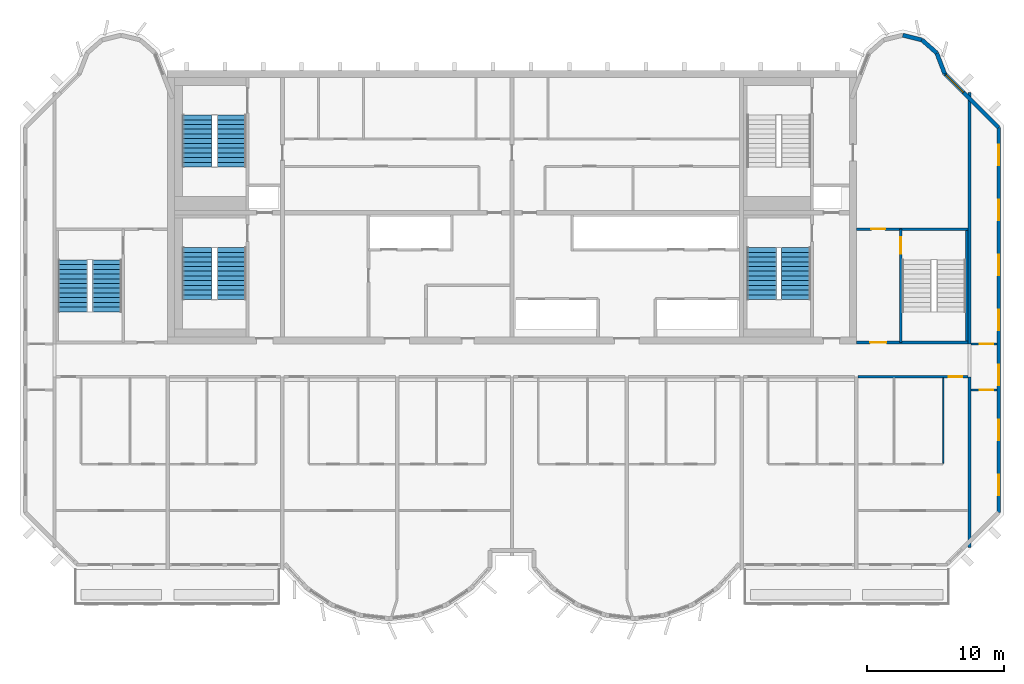
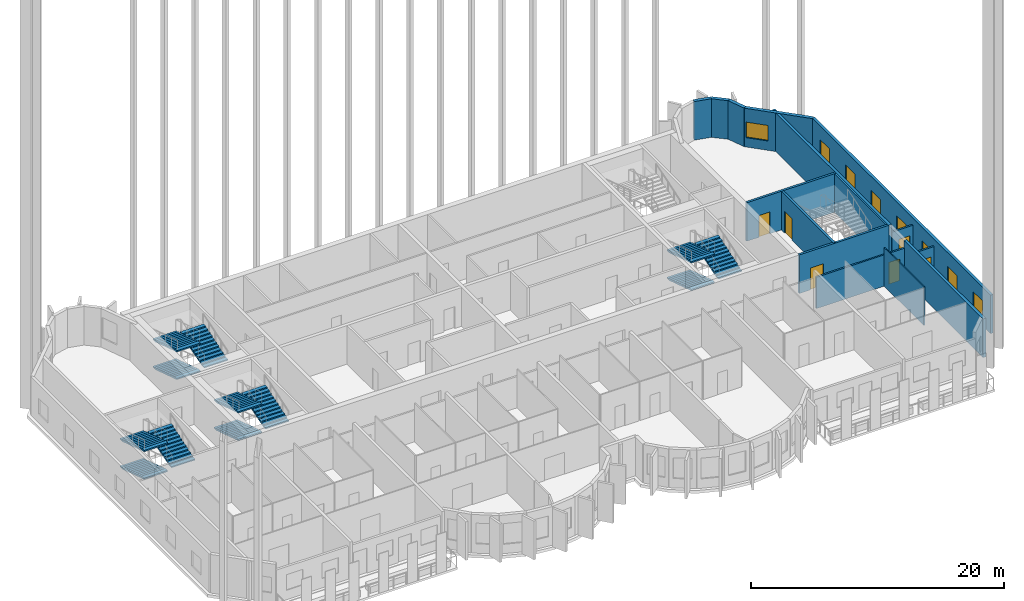
# One storey, part 8 of 13: 15 walls, 12 stair flights, 8 windows, 6 doors, 14 openings, 4 elements without a shape of their own.
"""IFC4 building model written with IfcOpenShell, lengths in metres."""

from ifc_helpers import new_model, si_unit, direction, frame, frame_2d, origin, place, context, subcontext, project, spatial, polyline, rectangle, outline, extrude, source, transform, mapped, material, layer, layer_set, type_object, element, fill, aggregate, save


model = new_model("IFC4")

# Units and contexts
model_context = context("Model", 3, precision=1e-05, world=origin(), true_north=direction((0.0, 1.0)))
body_context = subcontext(model_context, "Body", "Model", "MODEL_VIEW")
ifc_project = project(units=[si_unit("LENGTHUNIT", "METRE"), si_unit("AREAUNIT", "SQUARE_METRE"), si_unit("VOLUMEUNIT", "CUBIC_METRE"), si_unit("PLANEANGLEUNIT", "RADIAN"), si_unit("MASSUNIT", "GRAM", prefix="KILO")], contexts=[model_context])

# Site, building, storey
site_placement = place(None, origin())
site = spatial("IfcSite", under=ifc_project, at=site_placement, CompositionType="ELEMENT")
building_placement = place(site_placement, origin())
building = spatial("IfcBuilding", under=site, at=building_placement, Name="Vanashikhar Sky Hotel", CompositionType="ELEMENT")
storey_placement = place(building_placement, frame((0.0, 0.0, 277.699951171875)))
storey = spatial("IfcBuildingStorey", under=building, at=storey_placement, Name="L66", CompositionType="ELEMENT", Elevation=277.699951171875)

# Walls
ifc_material_1 = material(Name="Concrete M50", Category="concrete")
ifc_layer_1 = layer(ifc_material_1, 0.25)
ifc_layer_set_1 = layer_set([ifc_layer_1], Name="RC shear wall 250 Concrete M50")
wall_type_1 = type_object("IfcWallType", Name="RC shear wall 250 Concrete M50", PredefinedType="SHEAR", material=ifc_layer_set_1)
shared_shape_1 = source(origin(), body_context, "Body", "SweptSolid", [
    extrude(rectangle(XDim=12.5, YDim=0.25, at=frame_2d((6.25, 0.0))), origin(), (0.0, 0.0, 1.0), 3.719970703125),
])
wall_1_placement = place(storey_placement, frame((83.875, 7.10009765625, 0.0), z_axis=(0.0, 0.0, 1.0), x_axis=(0.0, 1.0, 0.0)))
element("IfcWall", 1, at=wall_1_placement, inside=storey, type_object=wall_type_1, Name="CW-L66-XW11-1", PredefinedType="SHEAR", context=body_context, shape_type="MappedRepresentation", body=[
    mapped(shared_shape_1, transform((0.0, 0.0, 0.0), scale=1.0)),
])
shared_shape_2 = source(origin(), body_context, "Body", "SweptSolid", [
    extrude(rectangle(XDim=18.39990234375, YDim=0.25, at=frame_2d((9.199951171875, 0.0))), origin(), (0.0, 0.0, 1.0), 3.719970703125),
])
wall_2_placement = place(storey_placement, frame((83.875, 22.0, 0.0), z_axis=(0.0, 0.0, 1.0), x_axis=(0.0, 1.0, 0.0)))
element("IfcWall", 2, at=wall_2_placement, inside=storey, type_object=wall_type_1, Name="CW-L66-XW11-2", PredefinedType="SHEAR", context=body_context, shape_type="MappedRepresentation", body=[
    mapped(shared_shape_2, transform((0.0, 0.0, 0.0), scale=1.0)),
])

# Wall, opening, window
ifc_layer_2 = layer(ifc_material_1, 0.300048828125)
ifc_layer_set_2 = layer_set([ifc_layer_2], Name="Lobe wall 300")
wall_type_2 = type_object("IfcWallType", Name="Lobe wall 300", PredefinedType="SOLIDWALL", material=ifc_layer_set_2)
shared_shape_3 = source(origin(), body_context, "Body", "SweptSolid", [
    extrude(rectangle(XDim=5.576416015625, YDim=0.300048828125, at=frame_2d((2.7880859375, 0.0))), origin(), (0.0, 0.0, 1.0), 3.719970703125),
])
wall_3_placement = place(storey_placement, frame((86.0, 37.834228515625, 0.0), z_axis=(0.0, 0.0, 1.0), x_axis=(-0.707106781187, 0.707106781187, 0.0)))
wall_3 = element("IfcWall", 3, at=wall_3_placement, inside=storey, type_object=wall_type_2, Name="Corner wall", PredefinedType="SOLIDWALL", context=body_context, shape_type="MappedRepresentation", body=[
    mapped(shared_shape_3, transform((0.0, 0.0, 0.0), scale=1.0)),
])
shared_shape_4 = source(origin(), body_context, "Body", "SweptSolid", [
    extrude(rectangle(XDim=1.800048828125, YDim=1.5, at=frame_2d((0.89990234375, 0.75))), frame((0.0, 0.16015625, 0.0), z_axis=(0.0, -1.0, 0.0), x_axis=(1.0, 0.0, 0.0)), (0.0, 0.0, 1.0), 0.320068359375),
])
opening_1_placement = place(wall_3_placement, frame((3.640869140625, 0.0, 0.89990234375)))
opening_1 = element("IfcOpeningElement", 4, at=opening_1_placement, cuts=wall_3, Name="Opening WN-4", PredefinedType="OPENING", context=body_context, shape_type="MappedRepresentation", body=[
    mapped(shared_shape_4, transform((0.0, 0.0, 0.0), scale=1.0)),
])
ifc_material_2 = material(Name="Glass", Category="glass")
window_type_1 = type_object("IfcWindowType", Name="Corner window 1800 x 1500", PartitioningType="SINGLE_PANEL", PredefinedType="WINDOW", material=ifc_material_2)
shared_shape_5 = source(origin(), body_context, "Body", "SweptSolid", [
    extrude(rectangle(XDim=1.800048828125, YDim=1.5, at=frame_2d((0.89990234375, 0.75))), frame((0.0, 0.030029296875, 0.0), z_axis=(0.0, -1.0, 0.0), x_axis=(1.0, 0.0, 0.0)), (0.0, 0.0, 1.0), 0.06005859375),
])
window_1_placement = place(opening_1_placement, origin())
window_1 = element("IfcWindow", 5, at=window_1_placement, inside=storey, type_object=window_type_1, Name="Window WN-4", OverallHeight=1.5, OverallWidth=1.800048828125, PartitioningType="SINGLE_PANEL", PredefinedType="WINDOW", context=body_context, shape_type="MappedRepresentation", body=[
    mapped(shared_shape_5, transform((0.0, 0.0, 0.0), scale=1.0)),
])
fill(opening_1, window_1)

# Walls
shared_shape_6 = source(origin(), body_context, "Body", "SweptSolid", [
    extrude(rectangle(XDim=1.6220703125, YDim=0.300048828125, at=frame_2d((0.81103515625, 0.0))), origin(), (0.0, 0.0, 1.0), 3.719970703125),
])
wall_4_placement = place(storey_placement, frame((82.056884765625, 41.77734375, 0.0), z_axis=(0.0, 0.0, 1.0), x_axis=(-0.357778527068, 0.933806471154, 0.0)))
element("IfcWall", 6, at=wall_4_placement, inside=storey, type_object=wall_type_2, Name="Lobe wall", PredefinedType="SOLIDWALL", context=body_context, shape_type="MappedRepresentation", body=[
    mapped(shared_shape_6, transform((0.0, 0.0, 0.0), scale=1.0)),
])
shared_shape_7 = source(origin(), body_context, "Body", "SweptSolid", [
    extrude(rectangle(XDim=1.43994140625, YDim=0.300048828125, at=frame_2d((0.719970703125, 0.0))), origin(), (0.0, 0.0, 1.0), 3.719970703125),
])
wall_5_placement = place(storey_placement, frame((81.4765625, 43.2919921875, 0.0), z_axis=(0.0, 0.0, 1.0), x_axis=(-0.74957555648, 0.661918790432, 0.0)))
element("IfcWall", 7, at=wall_5_placement, inside=storey, type_object=wall_type_2, Name="Lobe wall", PredefinedType="SOLIDWALL", context=body_context, shape_type="MappedRepresentation", body=[
    mapped(shared_shape_7, transform((0.0, 0.0, 0.0), scale=1.0)),
])
shared_shape_8 = source(origin(), body_context, "Body", "SweptSolid", [
    extrude(rectangle(XDim=1.438720703125, YDim=0.300048828125, at=frame_2d((0.71923828125, 0.0))), origin(), (0.0, 0.0, 1.0), 3.719970703125),
])
wall_6_placement = place(storey_placement, frame((80.397216796875, 44.2451171875, 0.0), z_axis=(0.0, 0.0, 1.0), x_axis=(-0.971161932466, 0.238420848351, 0.0)))
element("IfcWall", 8, at=wall_6_placement, inside=storey, type_object=wall_type_2, Name="Lobe wall", PredefinedType="SOLIDWALL", context=body_context, shape_type="MappedRepresentation", body=[
    mapped(shared_shape_8, transform((0.0, 0.0, 0.0), scale=1.0)),
])

# Wall, openings, windows
ifc_layer_3 = layer(ifc_material_1, 0.25)
ifc_layer_set_3 = layer_set([ifc_layer_3], Name="Rear and end board-marked wall 250")
wall_type_3 = type_object("IfcWallType", Name="Rear and end board-marked wall 250", PredefinedType="SOLIDWALL", material=ifc_layer_set_3)
shared_shape_9 = source(origin(), body_context, "Body", "SweptSolid", [
    extrude(rectangle(XDim=28.189453125, YDim=0.25, at=frame_2d((14.0947265625, 0.0))), origin(), (0.0, 0.0, 1.0), 3.719970703125),
])
wall_7_placement = place(storey_placement, frame((86.02490234375, 9.6552734375, 0.0), z_axis=(0.0, 0.0, 1.0), x_axis=(0.0, 1.0, 0.0)))
wall_7 = element("IfcWall", 9, at=wall_7_placement, inside=storey, type_object=wall_type_3, Name="End board-marked wall", PredefinedType="SOLIDWALL", context=body_context, shape_type="MappedRepresentation", body=[
    mapped(shared_shape_9, transform((0.0, 0.0, 0.0), scale=1.0)),
])
shared_shape_10 = source(origin(), body_context, "Body", "SweptSolid", [
    extrude(rectangle(XDim=1.5, YDim=1.5, at=frame_2d((0.75, 0.75))), frame((0.0, 0.135009765625, 0.0), z_axis=(0.0, -1.0, 0.0), x_axis=(1.0, 0.0, 0.0)), (0.0, 0.0, 1.0), 0.27001953125),
])
opening_2_placement = place(wall_7_placement, frame((1.263427734375, 0.0, 0.89990234375)))
opening_2 = element("IfcOpeningElement", 10, at=opening_2_placement, cuts=wall_7, Name="Opening WN-1", PredefinedType="OPENING", context=body_context, shape_type="MappedRepresentation", body=[
    mapped(shared_shape_10, transform((0.0, 0.0, 0.0), scale=1.0)),
])
opening_3_placement = place(wall_7_placement, frame((5.29052734375, 0.0, 0.89990234375)))
opening_3 = element("IfcOpeningElement", 11, at=opening_3_placement, cuts=wall_7, Name="Opening WN-1", PredefinedType="OPENING", context=body_context, shape_type="MappedRepresentation", body=[
    mapped(shared_shape_10, transform((0.0, 0.0, 0.0), scale=1.0)),
])
opening_4_placement = place(wall_7_placement, frame((9.317626953125, 0.0, 0.89990234375)))
opening_4 = element("IfcOpeningElement", 12, at=opening_4_placement, cuts=wall_7, Name="Opening WN-1", PredefinedType="OPENING", context=body_context, shape_type="MappedRepresentation", body=[
    mapped(shared_shape_10, transform((0.0, 0.0, 0.0), scale=1.0)),
])
opening_5_placement = place(wall_7_placement, frame((13.3447265625, 0.0, 0.89990234375)))
opening_5 = element("IfcOpeningElement", 13, at=opening_5_placement, cuts=wall_7, Name="Opening WN-1", PredefinedType="OPENING", context=body_context, shape_type="MappedRepresentation", body=[
    mapped(shared_shape_10, transform((0.0, 0.0, 0.0), scale=1.0)),
])
opening_6_placement = place(wall_7_placement, frame((17.371826171875, 0.0, 0.89990234375)))
opening_6 = element("IfcOpeningElement", 14, at=opening_6_placement, cuts=wall_7, Name="Opening WN-1", PredefinedType="OPENING", context=body_context, shape_type="MappedRepresentation", body=[
    mapped(shared_shape_10, transform((0.0, 0.0, 0.0), scale=1.0)),
])
opening_7_placement = place(wall_7_placement, frame((21.398681640625, 0.0, 0.89990234375)))
opening_7 = element("IfcOpeningElement", 15, at=opening_7_placement, cuts=wall_7, Name="Opening WN-1", PredefinedType="OPENING", context=body_context, shape_type="MappedRepresentation", body=[
    mapped(shared_shape_10, transform((0.0, 0.0, 0.0), scale=1.0)),
])
opening_8_placement = place(wall_7_placement, frame((25.42578125, 0.0, 0.89990234375)))
opening_8 = element("IfcOpeningElement", 16, at=opening_8_placement, cuts=wall_7, Name="Opening WN-1", PredefinedType="OPENING", context=body_context, shape_type="MappedRepresentation", body=[
    mapped(shared_shape_10, transform((0.0, 0.0, 0.0), scale=1.0)),
])
window_type_2 = type_object("IfcWindowType", Name="Window 1500 x 1500", PartitioningType="SINGLE_PANEL", PredefinedType="WINDOW", material=ifc_material_2)
shared_shape_11 = source(origin(), body_context, "Body", "SweptSolid", [
    extrude(rectangle(XDim=1.5, YDim=1.5, at=frame_2d((0.75, 0.75))), frame((0.0, 0.030029296875, 0.0), z_axis=(0.0, -1.0, 0.0), x_axis=(1.0, 0.0, 0.0)), (0.0, 0.0, 1.0), 0.06005859375),
])
window_2_placement = place(opening_2_placement, origin())
window_2 = element("IfcWindow", 17, at=window_2_placement, inside=storey, type_object=window_type_2, Name="Window WN-1", OverallHeight=1.5, OverallWidth=1.5, PartitioningType="SINGLE_PANEL", PredefinedType="WINDOW", context=body_context, shape_type="MappedRepresentation", body=[
    mapped(shared_shape_11, transform((0.0, 0.0, 0.0), scale=1.0)),
])
fill(opening_2, window_2)
window_3_placement = place(opening_3_placement, origin())
window_3 = element("IfcWindow", 18, at=window_3_placement, inside=storey, type_object=window_type_2, Name="Window WN-1", OverallHeight=1.5, OverallWidth=1.5, PartitioningType="SINGLE_PANEL", PredefinedType="WINDOW", context=body_context, shape_type="MappedRepresentation", body=[
    mapped(shared_shape_11, transform((0.0, 0.0, 0.0), scale=1.0)),
])
fill(opening_3, window_3)
window_4_placement = place(opening_4_placement, origin())
window_4 = element("IfcWindow", 19, at=window_4_placement, inside=storey, type_object=window_type_2, Name="Window WN-1", OverallHeight=1.5, OverallWidth=1.5, PartitioningType="SINGLE_PANEL", PredefinedType="WINDOW", context=body_context, shape_type="MappedRepresentation", body=[
    mapped(shared_shape_11, transform((0.0, 0.0, 0.0), scale=1.0)),
])
fill(opening_4, window_4)
window_5_placement = place(opening_5_placement, origin())
window_5 = element("IfcWindow", 20, at=window_5_placement, inside=storey, type_object=window_type_2, Name="Window WN-1", OverallHeight=1.5, OverallWidth=1.5, PartitioningType="SINGLE_PANEL", PredefinedType="WINDOW", context=body_context, shape_type="MappedRepresentation", body=[
    mapped(shared_shape_11, transform((0.0, 0.0, 0.0), scale=1.0)),
])
fill(opening_5, window_5)
window_6_placement = place(opening_6_placement, origin())
window_6 = element("IfcWindow", 21, at=window_6_placement, inside=storey, type_object=window_type_2, Name="Window WN-1", OverallHeight=1.5, OverallWidth=1.5, PartitioningType="SINGLE_PANEL", PredefinedType="WINDOW", context=body_context, shape_type="MappedRepresentation", body=[
    mapped(shared_shape_11, transform((0.0, 0.0, 0.0), scale=1.0)),
])
fill(opening_6, window_6)
window_7_placement = place(opening_7_placement, origin())
window_7 = element("IfcWindow", 22, at=window_7_placement, inside=storey, type_object=window_type_2, Name="Window WN-1", OverallHeight=1.5, OverallWidth=1.5, PartitioningType="SINGLE_PANEL", PredefinedType="WINDOW", context=body_context, shape_type="MappedRepresentation", body=[
    mapped(shared_shape_11, transform((0.0, 0.0, 0.0), scale=1.0)),
])
fill(opening_7, window_7)
window_8_placement = place(opening_8_placement, origin())
window_8 = element("IfcWindow", 23, at=window_8_placement, inside=storey, type_object=window_type_2, Name="Window WN-1", OverallHeight=1.5, OverallWidth=1.5, PartitioningType="SINGLE_PANEL", PredefinedType="WINDOW", context=body_context, shape_type="MappedRepresentation", body=[
    mapped(shared_shape_11, transform((0.0, 0.0, 0.0), scale=1.0)),
])
fill(opening_8, window_8)

# Wall, opening, door
ifc_layer_4 = layer(ifc_material_1, 0.199951171875)
ifc_layer_set_4 = layer_set([ifc_layer_4], Name="Stair wall 200")
wall_type_4 = type_object("IfcWallType", Name="Stair wall 200", PredefinedType="SOLIDWALL", material=ifc_layer_set_4)
shared_shape_12 = source(origin(), body_context, "Body", "SweptSolid", [
    extrude(rectangle(XDim=8.2998046875, YDim=0.199951171875, at=frame_2d((4.14990234375, 0.0))), origin(), (0.0, 0.0, 1.0), 3.719970703125),
])
wall_8_placement = place(storey_placement, frame((78.85009765625, 22.10009765625, 0.0), z_axis=(0.0, 0.0, 1.0), x_axis=(0.0, 1.0, 0.0)))
wall_8 = element("IfcWall", 24, at=wall_8_placement, inside=storey, type_object=wall_type_4, Name="Stair wall 200", PredefinedType="SOLIDWALL", context=body_context, shape_type="MappedRepresentation", body=[
    mapped(shared_shape_12, transform((0.0, 0.0, 0.0), scale=1.0)),
])
shared_shape_13 = source(origin(), body_context, "Body", "SweptSolid", [
    extrude(rectangle(XDim=1.199951171875, YDim=2.10009765625, at=frame_2d((0.60009765625, 1.050048828125))), frame((0.0, 0.10986328125, 0.0), z_axis=(0.0, -1.0, 0.0), x_axis=(1.0, 0.0, 0.0)), (0.0, 0.0, 1.0), 0.219970703125),
])
opening_9_placement = place(wall_8_placement, frame((6.5, 0.0, 0.0)))
opening_9 = element("IfcOpeningElement", 25, at=opening_9_placement, cuts=wall_8, Name="Opening DC-1", PredefinedType="OPENING", context=body_context, shape_type="MappedRepresentation", body=[
    mapped(shared_shape_13, transform((0.0, 0.0, 0.0), scale=1.0)),
])
ifc_material_3 = material(Name="Steel", Category="steel")
door_type_1 = type_object("IfcDoorType", Name="Stair door 1200 FD120", OperationType="NOTDEFINED", PredefinedType="DOOR", material=ifc_material_3)
shared_shape_14 = source(origin(), body_context, "Body", "SweptSolid", [
    extrude(rectangle(XDim=1.199951171875, YDim=2.10009765625, at=frame_2d((0.60009765625, 1.050048828125))), frame((0.0, 0.02490234375, 0.0), z_axis=(0.0, -1.0, 0.0), x_axis=(1.0, 0.0, 0.0)), (0.0, 0.0, 1.0), 0.050048828125),
])
door_1_placement = place(opening_9_placement, origin())
door_1 = element("IfcDoor", 26, at=door_1_placement, inside=storey, type_object=door_type_1, Name="Stair door 1200 FD120", OperationType="SINGLE_SWING_RIGHT", OverallHeight=2.10009765625, OverallWidth=1.199951171875, PredefinedType="DOOR", context=body_context, shape_type="MappedRepresentation", body=[
    mapped(shared_shape_14, transform((0.0, 0.0, 0.0), scale=1.0)),
])
fill(opening_9, door_1)

shared_shape_15 = source(origin(), body_context, "Body", "SweptSolid", [
    extrude(rectangle(XDim=8.14990234375, YDim=0.199951171875, at=frame_2d((4.074951171875, 0.0))), origin(), (0.0, 0.0, 1.0), 3.719970703125),
])
wall_9_placement = place(storey_placement, frame((83.75, 22.10009765625, 0.0), z_axis=(0.0, 0.0, 1.0), x_axis=(-1.0, 0.0, 0.0)))
wall_9 = element("IfcWall", 27, at=wall_9_placement, inside=storey, type_object=wall_type_4, Name="Stair wall 200", PredefinedType="SOLIDWALL", context=body_context, shape_type="MappedRepresentation", body=[
    mapped(shared_shape_15, transform((0.0, 0.0, 0.0), scale=1.0)),
])
opening_10_placement = place(wall_9_placement, frame((5.949951171875, 0.0, 0.0)))
opening_10 = element("IfcOpeningElement", 28, at=opening_10_placement, cuts=wall_9, Name="Opening DC-2", PredefinedType="OPENING", context=body_context, shape_type="MappedRepresentation", body=[
    mapped(shared_shape_13, transform((0.0, 0.0, 0.0), scale=1.0)),
])
door_type_2 = type_object("IfcDoorType", Name="Firefighting lobby door 1200 FD120", OperationType="NOTDEFINED", PredefinedType="DOOR", material=ifc_material_3)
door_2_placement = place(opening_10_placement, origin())
door_2 = element("IfcDoor", 29, at=door_2_placement, inside=storey, type_object=door_type_2, Name="Firefighting lobby door 1200 FD120", OperationType="SINGLE_SWING_RIGHT", OverallHeight=2.10009765625, OverallWidth=1.199951171875, PredefinedType="DOOR", context=body_context, shape_type="MappedRepresentation", body=[
    mapped(shared_shape_14, transform((0.0, 0.0, 0.0), scale=1.0)),
])
fill(opening_10, door_2)

wall_10_placement = place(storey_placement, frame((83.75, 30.39990234375, 0.0), z_axis=(0.0, 0.0, 1.0), x_axis=(-1.0, 0.0, 0.0)))
wall_10 = element("IfcWall", 30, at=wall_10_placement, inside=storey, type_object=wall_type_4, Name="Stair wall 200", PredefinedType="SOLIDWALL", context=body_context, shape_type="MappedRepresentation", body=[
    mapped(shared_shape_15, transform((0.0, 0.0, 0.0), scale=1.0)),
])
shared_shape_16 = source(origin(), body_context, "Body", "SweptSolid", [
    extrude(rectangle(XDim=1.0, YDim=2.10009765625, at=frame_2d((0.5, 1.050048828125))), frame((0.0, 0.10986328125, 0.0), z_axis=(0.0, -1.0, 0.0), x_axis=(1.0, 0.0, 0.0)), (0.0, 0.0, 1.0), 0.219970703125),
])
opening_11_placement = place(wall_10_placement, frame((6.050048828125, 0.0, 0.0)))
opening_11 = element("IfcOpeningElement", 31, at=opening_11_placement, cuts=wall_10, Name="Opening DC-6", PredefinedType="OPENING", context=body_context, shape_type="MappedRepresentation", body=[
    mapped(shared_shape_16, transform((0.0, 0.0, 0.0), scale=1.0)),
])
door_type_3 = type_object("IfcDoorType", Name="Pocket door 1000 FD60", OperationType="NOTDEFINED", PredefinedType="DOOR", material=ifc_material_3)
shared_shape_17 = source(origin(), body_context, "Body", "SweptSolid", [
    extrude(rectangle(XDim=1.0, YDim=2.10009765625, at=frame_2d((0.5, 1.050048828125))), frame((0.0, 0.02490234375, 0.0), z_axis=(0.0, -1.0, 0.0), x_axis=(1.0, 0.0, 0.0)), (0.0, 0.0, 1.0), 0.050048828125),
])
door_3_placement = place(opening_11_placement, origin())
door_3 = element("IfcDoor", 32, at=door_3_placement, inside=storey, type_object=door_type_3, Name="Pocket door 1000 FD60", OperationType="SINGLE_SWING_RIGHT", OverallHeight=2.10009765625, OverallWidth=1.0, PredefinedType="DOOR", context=body_context, shape_type="MappedRepresentation", body=[
    mapped(shared_shape_17, transform((0.0, 0.0, 0.0), scale=1.0)),
])
fill(opening_11, door_3)

# Walls
ifc_layer_5 = layer(ifc_material_1, 0.14990234375)
ifc_layer_set_5 = layer_set([ifc_layer_5], Name="Stair infill wall 150")
wall_type_5 = type_object("IfcWallType", Name="Stair infill wall 150", PredefinedType="SOLIDWALL", material=ifc_layer_set_5)
shared_shape_18 = source(origin(), body_context, "Body", "SweptSolid", [
    extrude(rectangle(XDim=8.10009765625, YDim=0.14990234375, at=frame_2d((4.050048828125, 0.0))), origin(), (0.0, 0.0, 1.0), 3.719970703125),
])
wall_11_placement = place(storey_placement, frame((83.675048828125, 22.199951171875, 0.0), z_axis=(0.0, 0.0, 1.0), x_axis=(0.0, 1.0, 0.0)))
element("IfcWall", 33, at=wall_11_placement, inside=storey, type_object=wall_type_5, Name="Stair infill wall 150", PredefinedType="SOLIDWALL", context=body_context, shape_type="MappedRepresentation", body=[
    mapped(shared_shape_18, transform((0.0, 0.0, 0.0), scale=1.0)),
])
ifc_material_4 = material(Name="Gypsum plasterboard partition")
ifc_layer_6 = layer(ifc_material_4, 0.10009765625)
ifc_layer_set_6 = layer_set([ifc_layer_6], Name="Wet room partition 100")
wall_type_6 = type_object("IfcWallType", Name="Wet room partition 100", PredefinedType="PARTITIONING", material=ifc_layer_set_6)
shared_shape_19 = source(origin(), body_context, "Body", "SweptSolid", [
    extrude(rectangle(XDim=6.25, YDim=0.10009765625, at=frame_2d((3.125, 0.0))), origin(), (0.0, 0.0, 1.0), 3.719970703125),
])
wall_12_placement = place(storey_placement, frame((81.949951171875, 13.27490234375, 0.0), z_axis=(0.0, 0.0, 1.0), x_axis=(0.0, 1.0, 0.0)))
element("IfcWall", 34, at=wall_12_placement, inside=storey, type_object=wall_type_6, Name="W-L66-PW040", PredefinedType="PARTITIONING", context=body_context, shape_type="MappedRepresentation", body=[
    mapped(shared_shape_19, transform((0.0, 0.0, 0.0), scale=1.0)),
])

# Wall, opening, door
ifc_layer_7 = layer(ifc_material_4, 0.14990234375)
ifc_layer_set_7 = layer_set([ifc_layer_7], Name="Corridor and demising partition 150")
wall_type_7 = type_object("IfcWallType", Name="Corridor and demising partition 150", PredefinedType="PARTITIONING", material=ifc_layer_set_7)
shared_shape_20 = source(origin(), body_context, "Body", "SweptSolid", [
    extrude(rectangle(XDim=8.02490234375, YDim=0.14990234375, at=frame_2d((4.012451171875, 0.0))), origin(), (0.0, 0.0, 1.0), 3.02001953125),
])
wall_13_placement = place(storey_placement, frame((75.72509765625, 19.60009765625, 0.0), z_axis=(0.0, 0.0, 1.0), x_axis=(1.0, 0.0, 0.0)))
wall_13 = element("IfcWall", 35, at=wall_13_placement, inside=storey, type_object=wall_type_7, Name="W-L66-PW045", PredefinedType="PARTITIONING", context=body_context, shape_type="MappedRepresentation", body=[
    mapped(shared_shape_20, transform((0.0, 0.0, 0.0), scale=1.0)),
])
shared_shape_21 = source(origin(), body_context, "Body", "SweptSolid", [
    extrude(rectangle(XDim=1.0, YDim=2.10009765625, at=frame_2d((0.5, 1.050048828125))), frame((0.0, 0.0849609375, 0.0), z_axis=(0.0, -1.0, 0.0), x_axis=(1.0, 0.0, 0.0)), (0.0, 0.0, 1.0), 0.169921875),
])
opening_12_placement = place(wall_13_placement, frame((6.625, 0.0, 0.0)))
opening_12 = element("IfcOpeningElement", 36, at=opening_12_placement, cuts=wall_13, Name="Opening D-01", PredefinedType="OPENING", context=body_context, shape_type="MappedRepresentation", body=[
    mapped(shared_shape_21, transform((0.0, 0.0, 0.0), scale=1.0)),
])
ifc_material_5 = material(Name="Timber fire door", Category="wood")
door_type_4 = type_object("IfcDoorType", Name="Guest entry door 1000 FD30S", OperationType="NOTDEFINED", PredefinedType="DOOR", material=ifc_material_5)
door_4_placement = place(opening_12_placement, origin())
door_4 = element("IfcDoor", 37, at=door_4_placement, inside=storey, type_object=door_type_4, Name="D-L66-029", OperationType="SINGLE_SWING_RIGHT", OverallHeight=2.10009765625, OverallWidth=1.0, PredefinedType="DOOR", context=body_context, shape_type="MappedRepresentation", body=[
    mapped(shared_shape_17, transform((0.0, 0.0, 0.0), scale=1.0)),
])
fill(opening_12, door_4)

shared_shape_22 = source(origin(), body_context, "Body", "SweptSolid", [
    extrude(rectangle(XDim=1.89990234375, YDim=0.14990234375, at=frame_2d((0.949951171875, 0.0))), origin(), (0.0, 0.0, 1.0), 3.02001953125),
])
wall_14_placement = place(storey_placement, frame((84.0, 22.0, 0.0), z_axis=(0.0, 0.0, 1.0), x_axis=(1.0, 0.0, 0.0)))
wall_14 = element("IfcWall", 38, at=wall_14_placement, inside=storey, type_object=wall_type_7, Name="W-L66-PW049", PredefinedType="PARTITIONING", context=body_context, shape_type="MappedRepresentation", body=[
    mapped(shared_shape_22, transform((0.0, 0.0, 0.0), scale=1.0)),
])
opening_13_placement = place(wall_14_placement, frame((0.625, 0.0, 0.0)))
opening_13 = element("IfcOpeningElement", 39, at=opening_13_placement, cuts=wall_14, Name="Opening D-01", PredefinedType="OPENING", context=body_context, shape_type="MappedRepresentation", body=[
    mapped(shared_shape_21, transform((0.0, 0.0, 0.0), scale=1.0)),
])
door_5_placement = place(opening_13_placement, origin())
door_5 = element("IfcDoor", 40, at=door_5_placement, inside=storey, type_object=door_type_4, Name="D-L66-031", OperationType="SINGLE_SWING_RIGHT", OverallHeight=2.10009765625, OverallWidth=1.0, PredefinedType="DOOR", context=body_context, shape_type="MappedRepresentation", body=[
    mapped(shared_shape_17, transform((0.0, 0.0, 0.0), scale=1.0)),
])
fill(opening_13, door_5)

wall_15_placement = place(storey_placement, frame((84.0, 18.6279296875, 0.0), z_axis=(0.0, 0.0, 1.0), x_axis=(1.0, 0.0, 0.0)))
wall_15 = element("IfcWall", 41, at=wall_15_placement, inside=storey, type_object=wall_type_7, Name="W-L66-PW051", PredefinedType="PARTITIONING", context=body_context, shape_type="MappedRepresentation", body=[
    mapped(shared_shape_22, transform((0.0, 0.0, 0.0), scale=1.0)),
])
opening_14_placement = place(wall_15_placement, frame((0.625, 0.0, 0.0)))
opening_14 = element("IfcOpeningElement", 42, at=opening_14_placement, cuts=wall_15, Name="Opening D-01", PredefinedType="OPENING", context=body_context, shape_type="MappedRepresentation", body=[
    mapped(shared_shape_21, transform((0.0, 0.0, 0.0), scale=1.0)),
])
door_6_placement = place(opening_14_placement, origin())
door_6 = element("IfcDoor", 43, at=door_6_placement, inside=storey, type_object=door_type_4, Name="D-L66-033", OperationType="SINGLE_SWING_RIGHT", OverallHeight=2.10009765625, OverallWidth=1.0, PredefinedType="DOOR", context=body_context, shape_type="MappedRepresentation", body=[
    mapped(shared_shape_17, transform((0.0, 0.0, 0.0), scale=1.0)),
])
fill(opening_14, door_6)

# Stair, stair flights
ifc_material_6 = material(Name="Concrete M40", Category="concrete")
stair_type = type_object("IfcStairType", Name="Exit stair 2150", PredefinedType="DOUBLE_RETURN_STAIR", material=ifc_material_6)
stair_1_placement = place(storey_placement, origin())
stair_1 = element("IfcStair", 44, at=stair_1_placement, inside=storey, type_object=stair_type, Name="L66 Exit stair 1", PredefinedType="DOUBLE_RETURN_STAIR")
stair_flight_type = type_object("IfcStairFlightType", Name="Stair flight 2150", PredefinedType="STRAIGHT", material=ifc_material_6)
shared_shape_23 = source(origin(), body_context, "Body", "SweptSolid", [
    extrude(outline(polyline([(0.0, 0.0), (0.0, 0.111083984375), (0.345458984375, 0.111083984375), (0.345458984375, 0.22216796875), (0.69091796875, 0.22216796875), (0.69091796875, 0.333251953125), (1.036376953125, 0.333251953125), (1.036376953125, 0.4443359375), (1.3818359375, 0.4443359375), (1.3818359375, 0.5556640625), (1.727294921875, 0.5556640625), (1.727294921875, 0.666748046875), (2.07275390625, 0.666748046875), (2.07275390625, 0.77783203125), (2.418212890625, 0.77783203125), (2.418212890625, 0.888916015625), (2.763671875, 0.888916015625), (2.763671875, 1.0), (3.109130859375, 1.0), (3.109130859375, 1.111083984375), (3.45458984375, 1.111083984375), (3.45458984375, 1.22216796875), (3.800048828125, 1.22216796875), (3.800048828125, 1.333251953125), (3.800048828125, 1.095947265625), (0.392333984375, 0.0), (0.0, 0.0)])), frame((0.0, 1.074951171875, 0.0), z_axis=(0.0, -1.0, 0.0), x_axis=(1.0, 0.0, 0.0)), (0.0, 0.0, 1.0), 2.14990234375),
])
stair_flight_1_placement = place(storey_placement, frame((27.375, 29.050048828125, 0.0), z_axis=(0.0, 0.0, 1.0), x_axis=(0.0, -1.0, 0.0)))
stair_flight_1 = element("IfcStairFlight", 45, at=stair_flight_1_placement, type_object=stair_flight_type, Name="ST-C1 flight 1", NumberOfRisers=12, NumberOfTreads=11, PredefinedType="STRAIGHT", RiserHeight=0.111111111, TreadLength=0.345454545, context=body_context, shape_type="MappedRepresentation", body=[
    mapped(shared_shape_23, transform((0.0, 0.0, 0.0), scale=1.0)),
])
stair_flight_2_placement = place(storey_placement, frame((29.875, 25.25, 1.33349609375), z_axis=(0.0, 0.0, 1.0), x_axis=(0.0, 1.0, 0.0)))
stair_flight_2 = element("IfcStairFlight", 46, at=stair_flight_2_placement, type_object=stair_flight_type, Name="ST-C1 flight 2", NumberOfRisers=12, NumberOfTreads=11, PredefinedType="STRAIGHT", RiserHeight=0.111111111, TreadLength=0.345454545, context=body_context, shape_type="MappedRepresentation", body=[
    mapped(shared_shape_23, transform((0.0, 0.0, 0.0), scale=1.0)),
])
stair_flight_3_placement = place(storey_placement, frame((27.375, 29.050048828125, 2.666748046875), z_axis=(0.0, 0.0, 1.0), x_axis=(0.0, -1.0, 0.0)))
stair_flight_3 = element("IfcStairFlight", 47, at=stair_flight_3_placement, type_object=stair_flight_type, Name="ST-C1 flight 3", NumberOfRisers=12, NumberOfTreads=11, PredefinedType="STRAIGHT", RiserHeight=0.111111111, TreadLength=0.345454545, context=body_context, shape_type="MappedRepresentation", body=[
    mapped(shared_shape_23, transform((0.0, 0.0, 0.0), scale=1.0)),
])
aggregate(stair_1, [stair_flight_1, stair_flight_2, stair_flight_3])

stair_2_placement = place(storey_placement, origin())
stair_2 = element("IfcStair", 48, at=stair_2_placement, inside=storey, type_object=stair_type, Name="L66 Exit stair 2", PredefinedType="DOUBLE_RETURN_STAIR")
stair_flight_4_placement = place(storey_placement, frame((68.675048828125, 29.050048828125, 0.0), z_axis=(0.0, 0.0, 1.0), x_axis=(0.0, -1.0, 0.0)))
stair_flight_4 = element("IfcStairFlight", 49, at=stair_flight_4_placement, type_object=stair_flight_type, Name="ST-C2 flight 1", NumberOfRisers=12, NumberOfTreads=11, PredefinedType="STRAIGHT", RiserHeight=0.111111111, TreadLength=0.345454545, context=body_context, shape_type="MappedRepresentation", body=[
    mapped(shared_shape_23, transform((0.0, 0.0, 0.0), scale=1.0)),
])
stair_flight_5_placement = place(storey_placement, frame((71.175048828125, 25.25, 1.33349609375), z_axis=(0.0, 0.0, 1.0), x_axis=(0.0, 1.0, 0.0)))
stair_flight_5 = element("IfcStairFlight", 50, at=stair_flight_5_placement, type_object=stair_flight_type, Name="ST-C2 flight 2", NumberOfRisers=12, NumberOfTreads=11, PredefinedType="STRAIGHT", RiserHeight=0.111111111, TreadLength=0.345454545, context=body_context, shape_type="MappedRepresentation", body=[
    mapped(shared_shape_23, transform((0.0, 0.0, 0.0), scale=1.0)),
])
stair_flight_6_placement = place(storey_placement, frame((68.675048828125, 29.050048828125, 2.666748046875), z_axis=(0.0, 0.0, 1.0), x_axis=(0.0, -1.0, 0.0)))
stair_flight_6 = element("IfcStairFlight", 51, at=stair_flight_6_placement, type_object=stair_flight_type, Name="ST-C2 flight 3", NumberOfRisers=12, NumberOfTreads=11, PredefinedType="STRAIGHT", RiserHeight=0.111111111, TreadLength=0.345454545, context=body_context, shape_type="MappedRepresentation", body=[
    mapped(shared_shape_23, transform((0.0, 0.0, 0.0), scale=1.0)),
])
aggregate(stair_2, [stair_flight_4, stair_flight_5, stair_flight_6])

stair_3_placement = place(storey_placement, origin())
stair_3 = element("IfcStair", 52, at=stair_3_placement, inside=storey, type_object=stair_type, Name="L66 Exit stair 3", PredefinedType="DOUBLE_RETURN_STAIR")
stair_flight_7_placement = place(storey_placement, frame((18.27490234375, 28.14990234375, 0.0), z_axis=(0.0, 0.0, 1.0), x_axis=(0.0, -1.0, 0.0)))
stair_flight_7 = element("IfcStairFlight", 53, at=stair_flight_7_placement, type_object=stair_flight_type, Name="ST-W flight 1", NumberOfRisers=12, NumberOfTreads=11, PredefinedType="STRAIGHT", RiserHeight=0.111111111, TreadLength=0.345454545, context=body_context, shape_type="MappedRepresentation", body=[
    mapped(shared_shape_23, transform((0.0, 0.0, 0.0), scale=1.0)),
])
stair_flight_8_placement = place(storey_placement, frame((20.77490234375, 24.35009765625, 1.33349609375), z_axis=(0.0, 0.0, 1.0), x_axis=(0.0, 1.0, 0.0)))
stair_flight_8 = element("IfcStairFlight", 54, at=stair_flight_8_placement, type_object=stair_flight_type, Name="ST-W flight 2", NumberOfRisers=12, NumberOfTreads=11, PredefinedType="STRAIGHT", RiserHeight=0.111111111, TreadLength=0.345454545, context=body_context, shape_type="MappedRepresentation", body=[
    mapped(shared_shape_23, transform((0.0, 0.0, 0.0), scale=1.0)),
])
stair_flight_9_placement = place(storey_placement, frame((18.27490234375, 28.14990234375, 2.666748046875), z_axis=(0.0, 0.0, 1.0), x_axis=(0.0, -1.0, 0.0)))
stair_flight_9 = element("IfcStairFlight", 55, at=stair_flight_9_placement, type_object=stair_flight_type, Name="ST-W flight 3", NumberOfRisers=12, NumberOfTreads=11, PredefinedType="STRAIGHT", RiserHeight=0.111111111, TreadLength=0.345454545, context=body_context, shape_type="MappedRepresentation", body=[
    mapped(shared_shape_23, transform((0.0, 0.0, 0.0), scale=1.0)),
])
aggregate(stair_3, [stair_flight_7, stair_flight_8, stair_flight_9])

stair_4_placement = place(storey_placement, origin())
stair_4 = element("IfcStair", 56, at=stair_4_placement, inside=storey, type_object=stair_type, Name="L66 Exit stair 5", PredefinedType="DOUBLE_RETURN_STAIR")
stair_flight_10_placement = place(storey_placement, frame((27.375, 38.75, 0.0), z_axis=(0.0, 0.0, 1.0), x_axis=(0.0, -1.0, 0.0)))
stair_flight_10 = element("IfcStairFlight", 57, at=stair_flight_10_placement, type_object=stair_flight_type, Name="ST-C3 flight 1", NumberOfRisers=12, NumberOfTreads=11, PredefinedType="STRAIGHT", RiserHeight=0.111111111, TreadLength=0.345454545, context=body_context, shape_type="MappedRepresentation", body=[
    mapped(shared_shape_23, transform((0.0, 0.0, 0.0), scale=1.0)),
])
stair_flight_11_placement = place(storey_placement, frame((29.875, 34.949951171875, 1.33349609375), z_axis=(0.0, 0.0, 1.0), x_axis=(0.0, 1.0, 0.0)))
stair_flight_11 = element("IfcStairFlight", 58, at=stair_flight_11_placement, type_object=stair_flight_type, Name="ST-C3 flight 2", NumberOfRisers=12, NumberOfTreads=11, PredefinedType="STRAIGHT", RiserHeight=0.111111111, TreadLength=0.345454545, context=body_context, shape_type="MappedRepresentation", body=[
    mapped(shared_shape_23, transform((0.0, 0.0, 0.0), scale=1.0)),
])
stair_flight_12_placement = place(storey_placement, frame((27.375, 38.75, 2.666748046875), z_axis=(0.0, 0.0, 1.0), x_axis=(0.0, -1.0, 0.0)))
stair_flight_12 = element("IfcStairFlight", 59, at=stair_flight_12_placement, type_object=stair_flight_type, Name="ST-C3 flight 3", NumberOfRisers=12, NumberOfTreads=11, PredefinedType="STRAIGHT", RiserHeight=0.111111111, TreadLength=0.345454545, context=body_context, shape_type="MappedRepresentation", body=[
    mapped(shared_shape_23, transform((0.0, 0.0, 0.0), scale=1.0)),
])
aggregate(stair_4, [stair_flight_10, stair_flight_11, stair_flight_12])

save(model, "model.ifc")
